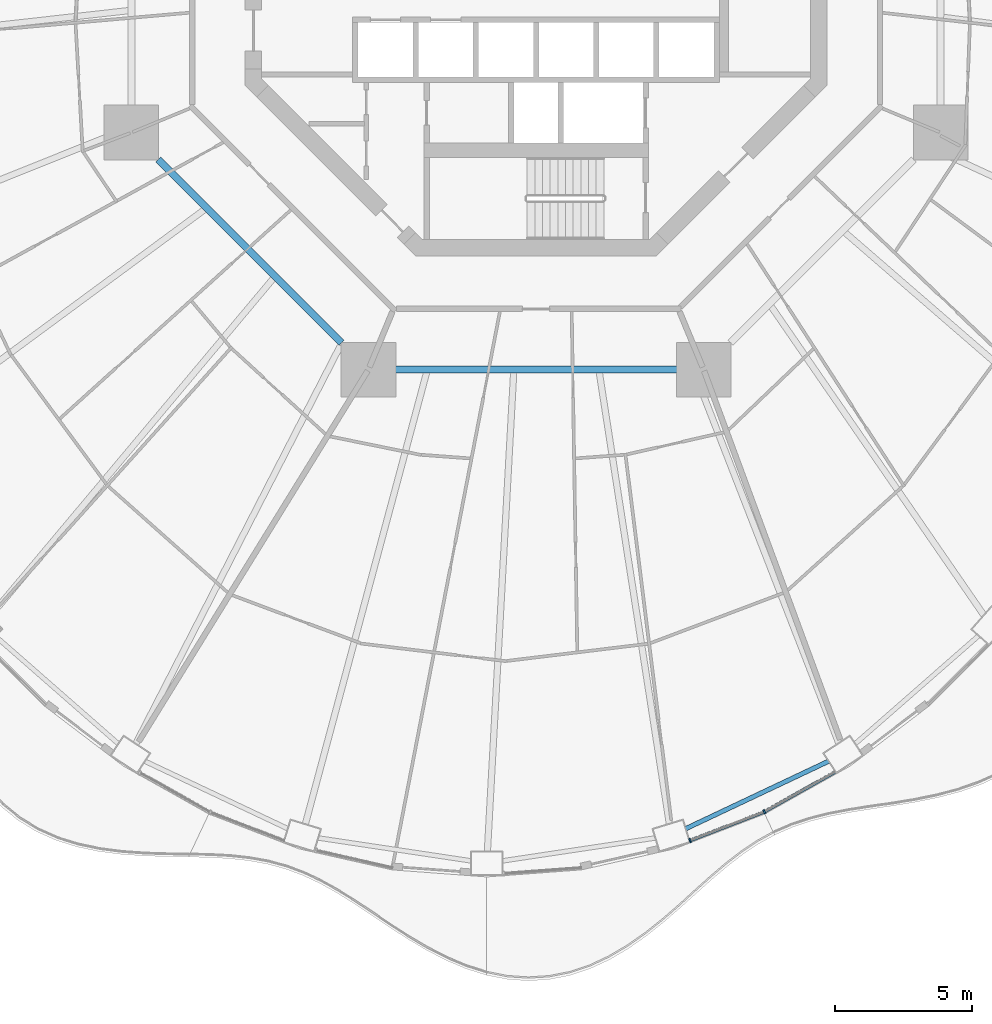
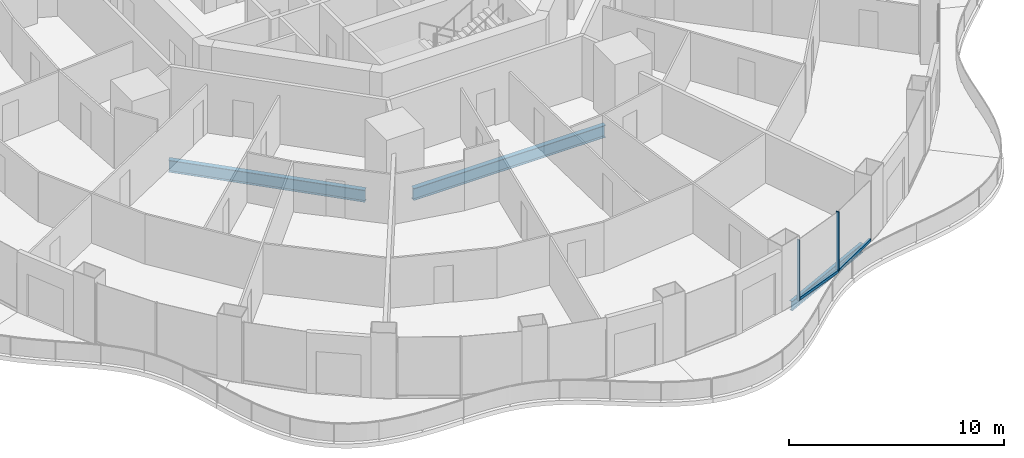
# One storey, part 5 of 21: 4 members, 3 beams, 2 elements without a shape of their own.
"""IFC4 building model written with IfcOpenShell, lengths in metres."""

from ifc_helpers import new_model, si_unit, direction, frame, origin, origin_2d, place, context, subcontext, project, spatial, rectangle, i_section, extrude, material, layer, layer_set, material_profile, profile_set, type_object, element, aggregate, save


model = new_model("IFC4")

# Units and contexts
model_context = context("Model", 3, precision=1e-05, world=origin(), true_north=direction((0.0, 1.0)))
body_context = subcontext(model_context, "Body", "Model", "MODEL_VIEW")
ifc_project = project(units=[si_unit("LENGTHUNIT", "METRE"), si_unit("AREAUNIT", "SQUARE_METRE"), si_unit("VOLUMEUNIT", "CUBIC_METRE"), si_unit("PLANEANGLEUNIT", "RADIAN"), si_unit("MASSUNIT", "GRAM", prefix="KILO")], contexts=[model_context])

# Site, building, storey
site_placement = place(None, origin())
site = spatial("IfcSite", under=ifc_project, at=site_placement, CompositionType="ELEMENT")
building_placement = place(site_placement, origin())
building = spatial("IfcBuilding", under=site, at=building_placement, Name="Nagisa Residences", CompositionType="ELEMENT")
storey_placement = place(building_placement, frame((0.0, 0.0, 134.39990234375)))
storey = spatial("IfcBuildingStorey", under=building, at=storey_placement, Name="L33", CompositionType="ELEMENT", Elevation=134.39990234375)

# Curtain wall, member
ifc_material_1 = material(Name="Concrete-coloured aluminium curtain wall system", Category="concrete")
ifc_layer = layer(ifc_material_1, 0.159912109375)
ifc_layer_set = layer_set([ifc_layer], Name="CW1 CURTAIN WALL")
curtain_wall_type = type_object("IfcCurtainWallType", Name="CW1 CURTAIN WALL", PredefinedType="NOTDEFINED", material=ifc_layer_set)
curtain_wall_1_placement = place(storey_placement, origin())
curtain_wall_1 = element("IfcCurtainWall", 1, at=curtain_wall_1_placement, inside=storey, type_object=curtain_wall_type, Name="cw:CW1:L33:38", PredefinedType="NOTDEFINED")
ifc_material_2 = material(Name="Concrete-coloured aluminium", Category="concrete")
ifc_material_profile_1 = material_profile(ifc_material_2, rectangle(XDim=0.159912109375, YDim=0.06005859375, at=origin_2d()), Name="CW1 MULLION 160x60")
ifc_profile_set_1 = profile_set([ifc_material_profile_1], Name="Concrete-coloured aluminium")
member_type_1 = type_object("IfcMemberType", Name="CW1 MULLION 160x60", PredefinedType="MULLION", material=ifc_profile_set_1)
member_1_placement = place(storey_placement, frame((5.626708984375, -31.982177734375, 0.0), z_axis=(0.0, 0.0, 1.0), x_axis=(-0.360327770268, 0.932825759707, 0.0)))
member_1 = element("IfcMember", 2, at=member_1_placement, type_object=member_type_1, Name="CW1 mullion", PredefinedType="MULLION", context=body_context, shape_type="SweptSolid", body=[
    extrude(rectangle(XDim=0.159912109375, YDim=0.06005859375, at=origin_2d()), origin(), (0.0, 0.0, 1.0), 3.440185546875),
])

curtain_wall_2_placement = place(storey_placement, origin())
curtain_wall_2 = element("IfcCurtainWall", 3, at=curtain_wall_2_placement, inside=storey, type_object=curtain_wall_type, Name="cw:CW1:L33:39", PredefinedType="NOTDEFINED")
member_2_placement = place(storey_placement, frame((8.341552734375, -30.9296875, 0.0), z_axis=(0.0, 0.0, 1.0), x_axis=(-0.489376918501, 0.872072377523, 0.0)))
member_2 = element("IfcMember", 4, at=member_2_placement, type_object=member_type_1, Name="CW1 mullion", PredefinedType="MULLION", context=body_context, shape_type="SweptSolid", body=[
    extrude(rectangle(XDim=0.159912109375, YDim=0.06005859375, at=origin_2d()), origin(), (0.0, 0.0, 1.0), 3.440185546875),
])

# Member
ifc_material_3 = material(Name="Concrete-coloured aluminium", Category="concrete")
ifc_material_profile_2 = material_profile(ifc_material_3, rectangle(XDim=0.1201171875, YDim=0.14990234375, at=origin_2d()), Name="CW1 TRANSOM 120x150")
ifc_profile_set_2 = profile_set([ifc_material_profile_2], Name="Concrete-coloured aluminium")
member_type_2 = type_object("IfcMemberType", Name="CW1 TRANSOM 120x150", PredefinedType="USERDEFINED", material=ifc_profile_set_2)
member_3_placement = place(storey_placement, frame((5.5986328125, -31.992919921875, 0.0751953125), z_axis=(0.932845344347, 0.360277064952, 0.0), x_axis=(-0.360277064952, 0.932845344347, 0.0)))
member_3 = element("IfcMember", 5, at=member_3_placement, type_object=member_type_2, Name="CW1 transom", ObjectType="TRANSOM", PredefinedType="USERDEFINED", context=body_context, shape_type="SweptSolid", body=[
    extrude(rectangle(XDim=0.1201171875, YDim=0.14990234375, at=origin_2d()), origin(), (0.0, 0.0, 1.0), 2.92333984375),
])

aggregate(curtain_wall_1, [member_1, member_3])

member_4_placement = place(storey_placement, frame((8.3154296875, -30.944580078125, 0.0751953125), z_axis=(0.87204719449, 0.4894217921, 0.0), x_axis=(-0.4894217921, 0.87204719449, 0.0)))
member_4 = element("IfcMember", 6, at=member_4_placement, type_object=member_type_2, Name="CW1 transom", ObjectType="TRANSOM", PredefinedType="USERDEFINED", context=body_context, shape_type="SweptSolid", body=[
    extrude(rectangle(XDim=0.1201171875, YDim=0.14990234375, at=origin_2d()), origin(), (0.0, 0.0, 1.0), 2.969482421875),
])

aggregate(curtain_wall_2, [member_2, member_4])

# Beams
ifc_material_4 = material(Name="Steel ASTM A572 Gr 50", Category="steel")
ifc_material_profile_3 = material_profile(ifc_material_4, i_section(OverallWidth=0.25390625, OverallDepth=0.68408203125, WebThickness=0.012451171875, FlangeThickness=0.018798828125, at=origin_2d()), Name="W690x140")
ifc_profile_set_3 = profile_set([ifc_material_profile_3], Name="Steel ASTM A572 Gr 50")
beam_type_1 = type_object("IfcBeamType", Name="Inner ring beam W690x140", PredefinedType="BEAM", material=ifc_profile_set_3)
beam_1_placement = place(storey_placement, frame((-13.796142578125, -7.10888671875, -0.601806640625), z_axis=(0.707106781187, -0.707106781187, 0.0), x_axis=(0.707106781187, 0.707106781187, 0.0)))
element("IfcBeam", 7, at=beam_1_placement, inside=storey, type_object=beam_type_1, Name="beam:L33:ib5", PredefinedType="BEAM", context=body_context, shape_type="SweptSolid", body=[
    extrude(i_section(OverallWidth=0.25390625, OverallDepth=0.68408203125, WebThickness=0.012451171875, FlangeThickness=0.018798828125, at=origin_2d()), origin(), (0.0, 0.0, 1.0), 9.457275390625),
])
beam_2_placement = place(storey_placement, frame((-5.142822265625, -14.781982421875, -0.601806640625), z_axis=(1.0, 0.0, 0.0), x_axis=(0.0, 1.0, 0.0)))
element("IfcBeam", 8, at=beam_2_placement, inside=storey, type_object=beam_type_1, Name="beam:L33:ib6", PredefinedType="BEAM", context=body_context, shape_type="SweptSolid", body=[
    extrude(i_section(OverallWidth=0.25390625, OverallDepth=0.68408203125, WebThickness=0.012451171875, FlangeThickness=0.018798828125, at=origin_2d()), origin(), (0.0, 0.0, 1.0), 10.28564453125),
])
ifc_material_5 = material(Name="Steel ASTM A572 Gr 50", Category="steel")
ifc_material_profile_4 = material_profile(ifc_material_5, i_section(OverallWidth=0.166015625, OverallDepth=0.534912109375, WebThickness=0.01025390625, FlangeThickness=0.0166015625, at=origin_2d()), Name="W530x85")
ifc_profile_set_4 = profile_set([ifc_material_profile_4], Name="Steel ASTM A572 Gr 50")
beam_type_2 = type_object("IfcBeamType", Name="Perimeter ring beam W530x85", PredefinedType="BEAM", material=ifc_profile_set_4)
beam_3_placement = place(storey_placement, frame((5.468505859375, -31.55029296875, -0.52734375), z_axis=(0.904186034847, 0.427138870143, 0.0), x_axis=(-0.427138870143, 0.904186034847, 0.0)))
element("IfcBeam", 9, at=beam_3_placement, inside=storey, type_object=beam_type_2, Name="beam:L33:pb20", PredefinedType="BEAM", context=body_context, shape_type="SweptSolid", body=[
    extrude(i_section(OverallWidth=0.166015625, OverallDepth=0.534912109375, WebThickness=0.01025390625, FlangeThickness=0.0166015625, at=origin_2d()), origin(), (0.0, 0.0, 1.0), 5.772216796875),
])

save(model, "model.ifc")
